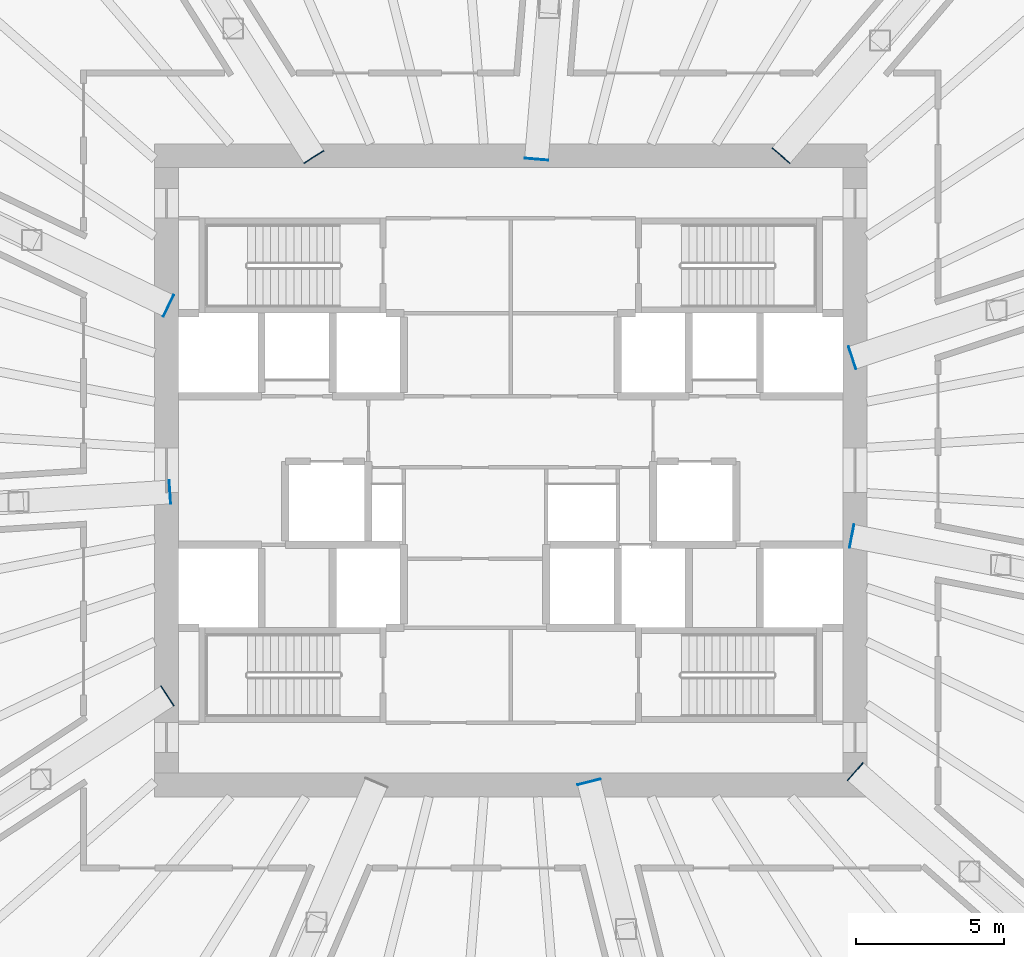
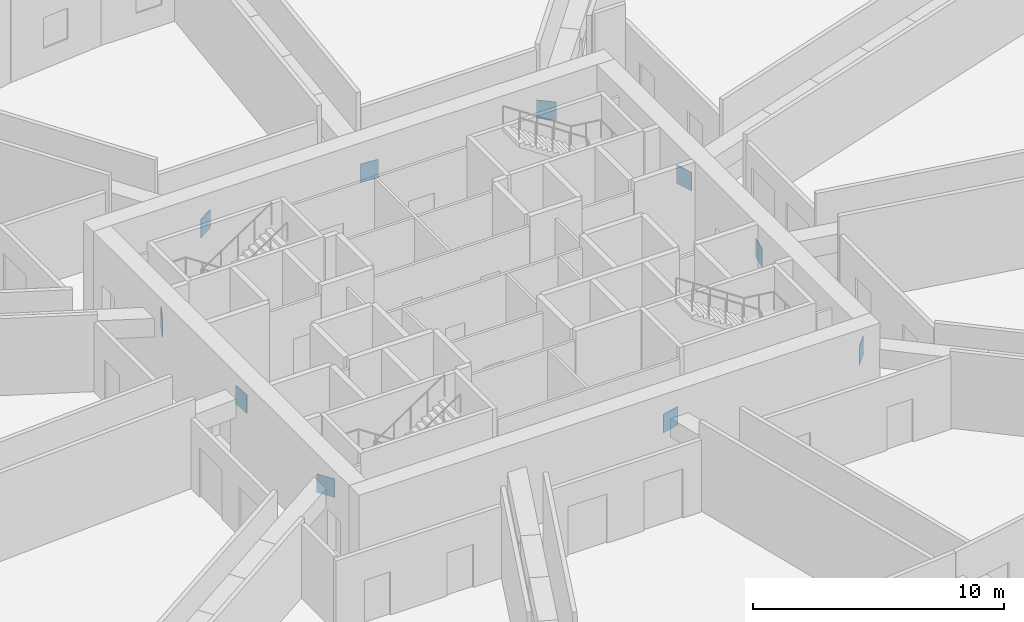
# One storey, part 12 of 13: 10 discrete accessories.
"""IFC4 building model written with IfcOpenShell, lengths in metres."""

from ifc_helpers import new_model, si_unit, direction, frame, origin, origin_2d, place, context, subcontext, project, spatial, rectangle, extrude, source, transform, mapped, material, type_object, element, save


model = new_model("IFC4")

# Units and contexts
model_context = context("Model", 3, precision=1e-05, world=origin(), true_north=direction((0.0, 1.0)))
body_context = subcontext(model_context, "Body", "Model", "MODEL_VIEW")
ifc_project = project(units=[si_unit("LENGTHUNIT", "METRE"), si_unit("AREAUNIT", "SQUARE_METRE"), si_unit("VOLUMEUNIT", "CUBIC_METRE"), si_unit("PLANEANGLEUNIT", "RADIAN"), si_unit("MASSUNIT", "GRAM", prefix="KILO")], contexts=[model_context])

# Site, building, storey
site_placement = place(None, origin())
site = spatial("IfcSite", under=ifc_project, at=site_placement, CompositionType="ELEMENT")
building_placement = place(site_placement, origin())
building = spatial("IfcBuilding", under=site, at=building_placement, Name="Embergate Tower", CompositionType="ELEMENT")
storey_placement = place(building_placement, frame((0.0, 0.0, 195.0)))
storey = spatial("IfcBuildingStorey", under=building, at=storey_placement, Name="L44", CompositionType="ELEMENT", Elevation=195.0)

# Discrete accessories
ifc_material = material(Name="Steel Q355B plate with headed studs", Category="steel")
discrete_accessory_type = type_object("IfcDiscreteAccessoryType", Name="Cast-in embed plate with headed anchors 800x900", PredefinedType="USERDEFINED", material=ifc_material)
shared_shape = source(origin(), body_context, "Body", "SweptSolid", [
    extrude(rectangle(XDim=0.030029296875, YDim=0.800048828125, at=origin_2d()), origin(), (0.0, 0.0, 1.0), 0.89990234375),
])
for number, where, z_axis, x_axis, name in (
    (1, (11.510986328125, 3.7958984375, 2.1201171875), (0.0, 0.0, 1.0), (0.949682727681, 0.313213532184, 0.0), "Cast-in embed plate"),
    (2, (9.110107421875, 10.60888671875, 2.1201171875), (0.0, 0.0, 1.0), (0.651516006229, 0.758634888222, 0.0), "Cast-in embed plate"),
    (3, (0.866943359375, 10.487060546875, 2.1201171875), (0.0, 0.0, 1.0), (0.082286395708, 0.996608724165, 0.0), "Cast-in embed plate"),
    (4, (-6.634033203125, 10.56396484375, 2.1201171875), (0.0, 0.0, 1.0), (-0.531886398552, 0.846815717282, 0.0), "Cast-in embed plate"),
    (5, (-11.535888671875, 5.550048828125, 2.1201171875), (0.0, 0.0, 1.0), (-0.901145129215, 0.433517538391, 0.0), "Cast-in embed plate"),
    (6, (-11.486083984375, -0.72900390625, 2.1201171875), (0.0, 0.0, 1.0), (-0.997987078981, -0.063417585781, 0.0), "Cast-in embed plate"),
    (7, (-11.570068359375, -7.60107421875, 2.1201171875), (0.0, 0.0, 1.0), (-0.83574027934, -0.549124927033, 0.0), "Cast-in embed plate"),
    (8, (2.635986328125, -10.5009765625, 2.1201171875), (0.0, 0.0, 1.0), (0.243530373559, -0.969893271012, 0.0), "Cast-in embed plate"),
    (9, (11.612060546875, -10.155029296875, 2.1201171875), (0.0, 0.0, 1.0), (0.752748205198, -0.658308544355, 0.0), "Cast-in embed plate"),
    (10, (11.493896484375, -2.217041015625, 2.1201171875), (0.0, 0.0, 1.0), (0.981902563727, -0.189386787677, 0.0), "Cast-in embed plate"),
):
    element("IfcDiscreteAccessory", number, at=place(storey_placement, frame(where, z_axis=z_axis, x_axis=x_axis)), inside=storey, type_object=discrete_accessory_type, Name=name, ObjectType="BRACKET", PredefinedType="USERDEFINED", context=body_context, shape_type="MappedRepresentation", body=[
        mapped(shared_shape, transform((0.0, 0.0, 0.0))),
    ])

save(model, "model.ifc")
